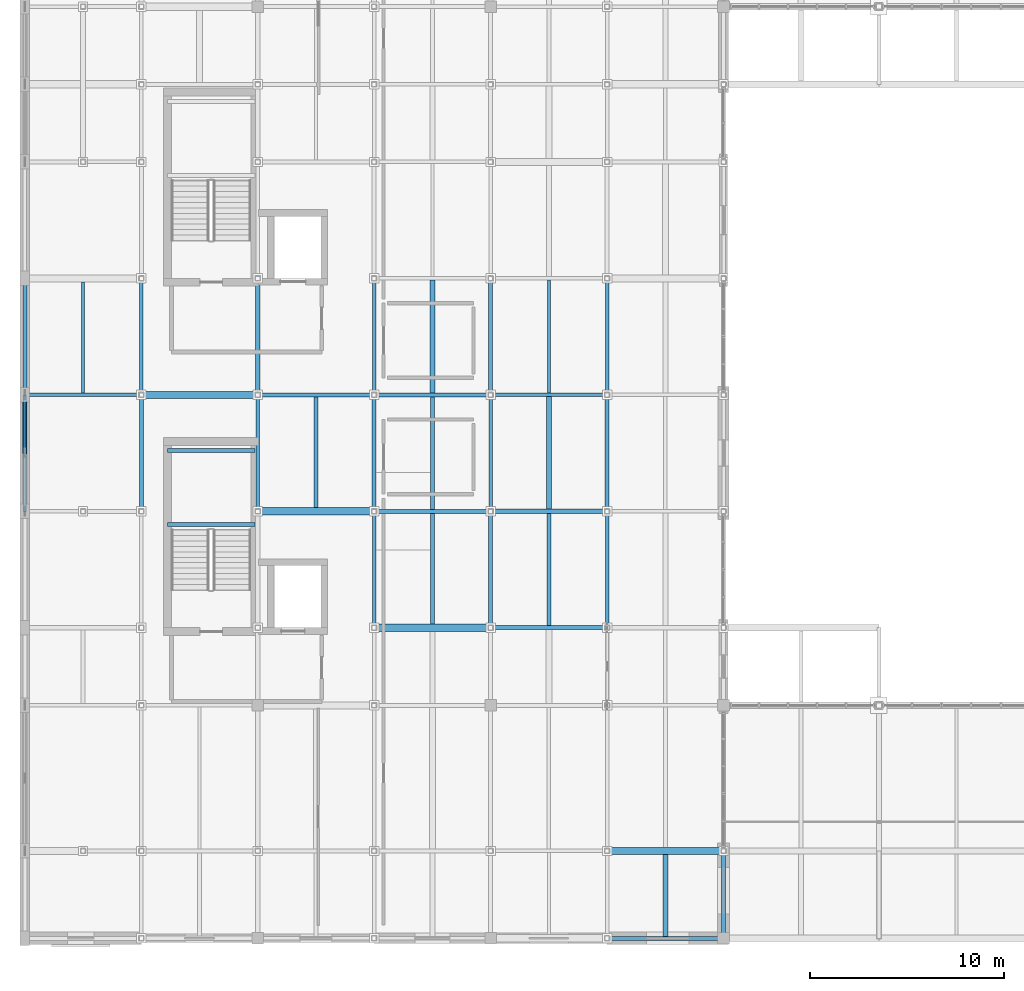
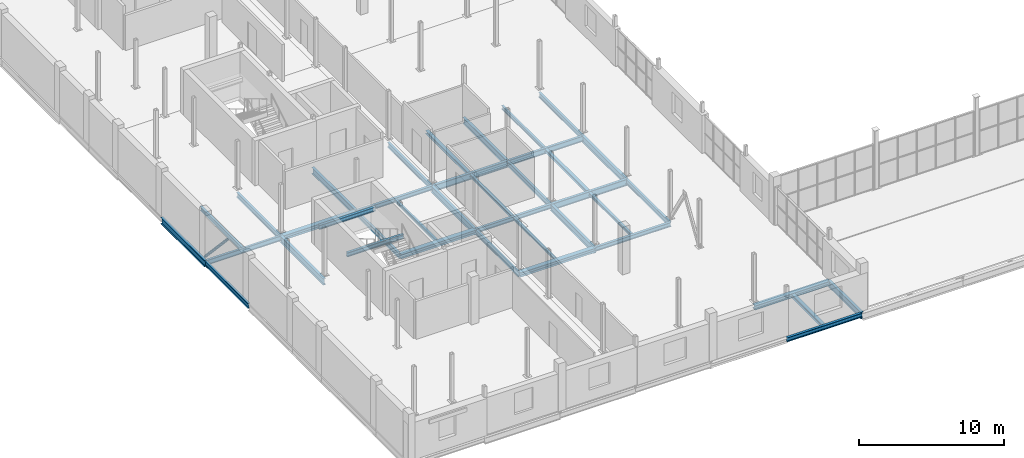
# One storey, part 18 of 96: 39 beams, 1 member.
"""IFC4 building model written with IfcOpenShell, lengths in metres."""

from ifc_helpers import new_model, si_unit, direction, frame, origin, origin_2d, place, context, subcontext, project, spatial, hollow_circle, i_section, extrude, material, material_profile, profile_set, type_object, element, save


model = new_model("IFC4")

# Units and contexts
model_context = context("Model", 3, precision=1e-05, world=origin(), true_north=direction((0.0, 1.0)))
body_context = subcontext(model_context, "Body", "Model", "MODEL_VIEW")
ifc_project = project(units=[si_unit("LENGTHUNIT", "METRE"), si_unit("AREAUNIT", "SQUARE_METRE"), si_unit("VOLUMEUNIT", "CUBIC_METRE"), si_unit("PLANEANGLEUNIT", "RADIAN"), si_unit("MASSUNIT", "GRAM", prefix="KILO")], contexts=[model_context])

# Site, building, storey
site_placement = place(None, origin())
site = spatial("IfcSite", under=ifc_project, at=site_placement, CompositionType="ELEMENT")
building_placement = place(site_placement, origin())
building = spatial("IfcBuilding", under=site, at=building_placement, Name="Verrall Gate Interchange", CompositionType="ELEMENT")
storey_placement = place(building_placement, frame((0.0, 0.0, 11.39990234375)))
storey = spatial("IfcBuildingStorey", under=building, at=storey_placement, Name="L03", CompositionType="ELEMENT", Elevation=11.39990234375)

# Beams
ifc_material_1 = material(Name="Structural Steel CSA G40.21 350W", Category="steel")
ifc_material_profile_1 = material_profile(ifc_material_1, i_section(OverallWidth=0.2109375, OverallDepth=0.5390625, WebThickness=0.01171875, FlangeThickness=0.018798828125, FilletRadius=0.013916015625, at=origin_2d()), Name="W530x109")
ifc_profile_set_1 = profile_set([ifc_material_profile_1], Name="Structural Steel CSA G40.21 350W")
beam_type_1 = type_object("IfcBeamType", Name="B-10 Structural Beam W530x109", PredefinedType="BEAM", material=ifc_profile_set_1)
for number, where, z_axis, x_axis, name in (
    (1, (24.0, 22.0, -0.599365234375), (1.0, 0.0, 0.0), (0.0, 1.0, 0.0), "L03 Girder BM-L03-2048 (B-10)"),
    (2, (18.0, 28.0, -0.599365234375), (1.0, 0.0, 0.0), (0.0, 1.0, 0.0), "L03 Girder BM-L03-2058 (B-10)"),
    (3, (0.0, 28.0, -0.599365234375), (0.0, 1.0, 0.0), (-1.0, 0.0, 0.0), "L03 Girder BM-L03-2178 (B-10)"),
    (4, (6.0, 22.0, -0.599365234375), (0.0, 1.0, 0.0), (-1.0, 0.0, 0.0), "L03 Girder BM-L03-2192 (B-10)"),
    (5, (12.0, 28.0, -0.599365234375), (0.0, 1.0, 0.0), (-1.0, 0.0, 0.0), "L03 Girder BM-L03-2207 (B-10)"),
    (6, (18.0, 22.0, -0.599365234375), (0.0, 1.0, 0.0), (-1.0, 0.0, 0.0), "L03 Girder BM-L03-2220 (B-10)"),
    (7, (24.0, 16.0, -0.599365234375), (0.0, 1.0, 0.0), (-1.0, 0.0, 0.0), "L03 Girder BM-L03-2233 (B-10)"),
    (8, (24.0, 28.0, -0.599365234375), (0.0, 1.0, 0.0), (-1.0, 0.0, 0.0), "L03 Girder BM-L03-2235 (B-10)"),
    (9, (30.0, 22.0, -0.599365234375), (0.0, 1.0, 0.0), (-1.0, 0.0, 0.0), "L03 Girder BM-L03-2248 (B-10)"),
):
    element("IfcBeam", number, at=place(storey_placement, frame(where, z_axis=z_axis, x_axis=x_axis)), inside=storey, type_object=beam_type_1, Name=name, PredefinedType="BEAM", context=body_context, shape_type="SweptSolid", body=[
        extrude(i_section(OverallWidth=0.2109375, OverallDepth=0.5390625, WebThickness=0.01171875, FlangeThickness=0.018798828125, FilletRadius=0.013916015625, at=origin_2d()), origin(), (0.0, 0.0, 1.0), 6.0),
    ])
beam_1_placement = place(storey_placement, frame((36.0, 0.0, -0.599365234375), z_axis=(0.0, 1.0, 0.0), x_axis=(-1.0, 0.0, 0.0)))
element("IfcBeam", 10, at=beam_1_placement, inside=storey, type_object=beam_type_1, Name="L03 Girder BM-L03-2258 (B-10)", PredefinedType="BEAM", context=body_context, shape_type="SweptSolid", body=[
    extrude(i_section(OverallWidth=0.2109375, OverallDepth=0.5390625, WebThickness=0.01171875, FlangeThickness=0.018798828125, FilletRadius=0.013916015625, at=origin_2d()), origin(), (0.0, 0.0, 1.0), 4.5),
])
ifc_material_2 = material(Name="Structural Steel CSA G40.21 350W", Category="steel")
ifc_material_profile_2 = material_profile(ifc_material_2, i_section(OverallWidth=0.19189453125, OverallDepth=0.462890625, WebThickness=0.010498046875, FlangeThickness=0.017578125, FilletRadius=0.012939453125, at=origin_2d()), Name="W460x89")
ifc_profile_set_2 = profile_set([ifc_material_profile_2], Name="Structural Steel CSA G40.21 350W")
beam_type_2 = type_object("IfcBeamType", Name="B-11 Structural Beam W460x89", PredefinedType="BEAM", material=ifc_profile_set_2)
beam_2_placement = place(storey_placement, frame((24.0, 28.0, -0.5615234375), z_axis=(1.0, 0.0, 0.0), x_axis=(0.0, 1.0, 0.0)))
element("IfcBeam", 11, at=beam_2_placement, inside=storey, type_object=beam_type_2, Name="L03 Girder BM-L03-2059 (B-11)", PredefinedType="BEAM", context=body_context, shape_type="SweptSolid", body=[
    extrude(i_section(OverallWidth=0.19189453125, OverallDepth=0.462890625, WebThickness=0.010498046875, FlangeThickness=0.017578125, FilletRadius=0.012939453125, at=origin_2d()), origin(), (0.0, 0.0, 1.0), 6.0),
])
ifc_material_3 = material(Name="Structural Steel CSA G40.21 350W", Category="steel")
ifc_material_profile_3 = material_profile(ifc_material_3, i_section(OverallWidth=0.178955078125, OverallDepth=0.409912109375, WebThickness=0.0087890625, FlangeThickness=0.014404296875, FilletRadius=0.011962890625, at=origin_2d()), Name="W410x67")
ifc_profile_set_3 = profile_set([ifc_material_profile_3], Name="Structural Steel CSA G40.21 350W")
beam_type_3 = type_object("IfcBeamType", Name="B-12 Structural Beam W410x67", PredefinedType="BEAM", material=ifc_profile_set_3)
for number, where, z_axis, x_axis, name in (
    (12, (0.0, 28.0, -0.534912109375), (1.0, 0.0, 0.0), (0.0, 1.0, 0.0), "L03 Girder BM-L03-2055 (B-12)"),
    (13, (0.0, 22.0, -0.534912109375), (0.0, 1.0, 0.0), (-1.0, 0.0, 0.0), "L03 Girder BM-L03-2177 (B-12)"),
    (14, (6.0, 28.0, -0.534912109375), (0.0, 1.0, 0.0), (-1.0, 0.0, 0.0), "L03 Girder BM-L03-2193 (B-12)"),
    (15, (12.0, 22.0, -0.534912109375), (0.0, 1.0, 0.0), (-1.0, 0.0, 0.0), "L03 Girder BM-L03-2206 (B-12)"),
    (16, (18.0, 16.0, -0.534912109375), (0.0, 1.0, 0.0), (-1.0, 0.0, 0.0), "L03 Girder BM-L03-2219 (B-12)"),
    (17, (18.0, 28.0, -0.534912109375), (0.0, 1.0, 0.0), (-1.0, 0.0, 0.0), "L03 Girder BM-L03-2221 (B-12)"),
    (18, (24.0, 22.0, -0.534912109375), (0.0, 1.0, 0.0), (-1.0, 0.0, 0.0), "L03 Girder BM-L03-2234 (B-12)"),
    (19, (30.0, 16.0, -0.534912109375), (0.0, 1.0, 0.0), (-1.0, 0.0, 0.0), "L03 Girder BM-L03-2247 (B-12)"),
    (20, (30.0, 28.0, -0.534912109375), (0.0, 1.0, 0.0), (-1.0, 0.0, 0.0), "L03 Girder BM-L03-2249 (B-12)"),
):
    element("IfcBeam", number, at=place(storey_placement, frame(where, z_axis=z_axis, x_axis=x_axis)), inside=storey, type_object=beam_type_3, Name=name, PredefinedType="BEAM", context=body_context, shape_type="SweptSolid", body=[
        extrude(i_section(OverallWidth=0.178955078125, OverallDepth=0.409912109375, WebThickness=0.0087890625, FlangeThickness=0.014404296875, FilletRadius=0.011962890625, at=origin_2d()), origin(), (0.0, 0.0, 1.0), 6.0),
    ])
ifc_material_4 = material(Name="Structural Steel CSA G40.21 350W", Category="steel")
ifc_material_profile_4 = material_profile(ifc_material_4, i_section(OverallWidth=0.368896484375, OverallDepth=0.35595703125, WebThickness=0.01123046875, FlangeThickness=0.01806640625, FilletRadius=0.014892578125, at=origin_2d()), Name="W360x134")
ifc_profile_set_4 = profile_set([ifc_material_profile_4], Name="Structural Steel CSA G40.21 350W")
beam_type_4 = type_object("IfcBeamType", Name="B-13 Structural Beam W360x134", PredefinedType="BEAM", material=ifc_profile_set_4)
for number, where, z_axis, x_axis, name in (
    (21, (30.0, 4.5, -0.5078125), (1.0, 0.0, 0.0), (0.0, 1.0, 0.0), "L03 Girder BM-L03-1996 (B-13)"),
    (22, (18.0, 16.0, -0.5078125), (1.0, 0.0, 0.0), (0.0, 1.0, 0.0), "L03 Girder BM-L03-2028 (B-13)"),
    (23, (12.0, 22.0, -0.5078125), (1.0, 0.0, 0.0), (0.0, 1.0, 0.0), "L03 Girder BM-L03-2046 (B-13)"),
    (24, (6.0, 28.0, -0.5078125), (1.0, 0.0, 0.0), (0.0, 1.0, 0.0), "L03 Girder BM-L03-2056 (B-13)"),
):
    element("IfcBeam", number, at=place(storey_placement, frame(where, z_axis=z_axis, x_axis=x_axis)), inside=storey, type_object=beam_type_4, Name=name, PredefinedType="BEAM", context=body_context, shape_type="SweptSolid", body=[
        extrude(i_section(OverallWidth=0.368896484375, OverallDepth=0.35595703125, WebThickness=0.01123046875, FlangeThickness=0.01806640625, FilletRadius=0.014892578125, at=origin_2d()), origin(), (0.0, 0.0, 1.0), 6.0),
    ])
ifc_material_5 = material(Name="Structural Steel CSA G40.21 350W", Category="steel")
ifc_material_profile_5 = material_profile(ifc_material_5, i_section(OverallWidth=0.205078125, OverallDepth=0.35400390625, WebThickness=0.009521484375, FlangeThickness=0.016845703125, FilletRadius=0.012939453125, at=origin_2d()), Name="W360x79")
ifc_profile_set_5 = profile_set([ifc_material_profile_5], Name="Structural Steel CSA G40.21 350W")
beam_type_5 = type_object("IfcBeamType", Name="B-14 Structural Beam W360x79", PredefinedType="BEAM", material=ifc_profile_set_5)
for number, where, z_axis, x_axis, name in (
    (25, (30.0, 0.0, -0.5068359375), (1.0, 0.0, 0.0), (0.0, 1.0, 0.0), "L03 Girder BM-L03-1980 (B-14)"),
    (26, (24.0, 16.0, -0.5068359375), (1.0, 0.0, 0.0), (0.0, 1.0, 0.0), "L03 Girder BM-L03-2029 (B-14)"),
    (27, (18.0, 22.0, -0.5068359375), (1.0, 0.0, 0.0), (0.0, 1.0, 0.0), "L03 Girder BM-L03-2047 (B-14)"),
    (28, (12.0, 28.0, -0.5068359375), (1.0, 0.0, 0.0), (0.0, 1.0, 0.0), "L03 Girder BM-L03-2057 (B-14)"),
):
    element("IfcBeam", number, at=place(storey_placement, frame(where, z_axis=z_axis, x_axis=x_axis)), inside=storey, type_object=beam_type_5, Name=name, PredefinedType="BEAM", context=body_context, shape_type="SweptSolid", body=[
        extrude(i_section(OverallWidth=0.205078125, OverallDepth=0.35400390625, WebThickness=0.009521484375, FlangeThickness=0.016845703125, FilletRadius=0.012939453125, at=origin_2d()), origin(), (0.0, 0.0, 1.0), 6.0),
    ])
for number, where, z_axis, x_axis, name in (
    (29, (7.35009765625, 21.31005859375, 1.630126953125), (1.0, 0.0, 0.0), (0.0, 1.0, 0.0), "L03 Core C1 Mid-Landing Beam 1"),
    (30, (7.35009765625, 25.1201171875, 1.630126953125), (1.0, 0.0, 0.0), (0.0, 1.0, 0.0), "L03 Core C1 Mid-Landing Beam 2"),
):
    element("IfcBeam", number, at=place(storey_placement, frame(where, z_axis=z_axis, x_axis=x_axis)), inside=storey, type_object=beam_type_5, Name=name, PredefinedType="BEAM", context=body_context, shape_type="SweptSolid", body=[
        extrude(i_section(OverallWidth=0.205078125, OverallDepth=0.35400390625, WebThickness=0.009521484375, FlangeThickness=0.016845703125, FilletRadius=0.012939453125, at=origin_2d()), origin(), (0.0, 0.0, 1.0), 4.5),
    ])

# Member
ifc_material_6 = material(Name="Structural Steel CSA G40.21 350W", Category="steel")
ifc_material_profile_6 = material_profile(ifc_material_6, hollow_circle(Radius=0.109619140625, WallThickness=0.008056640625, at=origin_2d()), Name="HSS219x8.0")
ifc_profile_set_6 = profile_set([ifc_material_profile_6], Name="Structural Steel CSA G40.21 350W")
member_type = type_object("IfcMemberType", Name="BR-02 Diagonal Brace HSS219x8.0", PredefinedType="BRACE", material=ifc_profile_set_6)
member_placement = place(storey_placement, frame((0.0, 28.0, 0.0), z_axis=(0.0, -0.681645967553, 0.731682154299), x_axis=(1.0, 0.0, 0.0)))
element("IfcMember", 31, at=member_placement, inside=storey, type_object=member_type, Name="Chevron Brace CBF2 L03 Leg B", PredefinedType="BRACE", context=body_context, shape_type="SweptSolid", body=[
    extrude(hollow_circle(Radius=0.109619140625, WallThickness=0.008056640625, at=origin_2d()), origin(), (0.0, 0.0, 1.0), 4.401123046875),
])

# Beams
ifc_material_7 = material(Name="Structural Steel CSA G40.21 350W", Category="steel")
ifc_material_profile_7 = material_profile(ifc_material_7, i_section(OverallWidth=0.172119140625, OverallDepth=0.35791015625, WebThickness=0.0078125, FlangeThickness=0.01318359375, FilletRadius=0.010986328125, at=origin_2d()), Name="W360x57")
ifc_profile_set_7 = profile_set([ifc_material_profile_7], Name="Structural Steel CSA G40.21 350W")
beam_type_6 = type_object("IfcBeamType", Name="J-01 Floor Joist W360x57", PredefinedType="JOIST", material=ifc_profile_set_7)
beam_3_placement = place(storey_placement, frame((3.0, 28.089599609375, -0.5087890625), z_axis=(0.0, 1.0, 0.0), x_axis=(-1.0, 0.0, 0.0)))
element("IfcBeam", 32, at=beam_3_placement, inside=storey, type_object=beam_type_6, Name="L03 Secondary Floor Joist JST-L03-2440", PredefinedType="JOIST", context=body_context, shape_type="SweptSolid", body=[
    extrude(i_section(OverallWidth=0.172119140625, OverallDepth=0.35791015625, WebThickness=0.0078125, FlangeThickness=0.01318359375, FilletRadius=0.010986328125, at=origin_2d()), origin(), (0.0, 0.0, 1.0), 5.725830078125),
])
ifc_material_8 = material(Name="Structural Steel CSA G40.21 350W", Category="steel")
ifc_material_profile_8 = material_profile(ifc_material_8, i_section(OverallWidth=0.25390625, OverallDepth=0.305908203125, WebThickness=0.0087890625, FlangeThickness=0.0146484375, FilletRadius=0.012939453125, at=origin_2d()), Name="W310x79")
ifc_profile_set_8 = profile_set([ifc_material_profile_8], Name="Structural Steel CSA G40.21 350W")
beam_type_7 = type_object("IfcBeamType", Name="J-03 Floor Joist W310x79", PredefinedType="JOIST", material=ifc_profile_set_8)
beam_4_placement = place(storey_placement, frame((33.0, 0.1025390625, -0.48291015625), z_axis=(0.0, 1.0, 0.0), x_axis=(-1.0, 0.0, 0.0)))
element("IfcBeam", 33, at=beam_4_placement, inside=storey, type_object=beam_type_7, Name="L03 Secondary Floor Joist JST-L03-2383", PredefinedType="JOIST", context=body_context, shape_type="SweptSolid", body=[
    extrude(i_section(OverallWidth=0.25390625, OverallDepth=0.305908203125, WebThickness=0.0087890625, FlangeThickness=0.0146484375, FilletRadius=0.012939453125, at=origin_2d()), origin(), (0.0, 0.0, 1.0), 4.212890625),
])
ifc_material_9 = material(Name="Structural Steel CSA G40.21 350W", Category="steel")
ifc_material_profile_9 = material_profile(ifc_material_9, i_section(OverallWidth=0.1650390625, OverallDepth=0.31005859375, WebThickness=0.005859375, FlangeThickness=0.009765625, FilletRadius=0.010009765625, at=origin_2d()), Name="W310x39")
ifc_profile_set_9 = profile_set([ifc_material_profile_9], Name="Structural Steel CSA G40.21 350W")
beam_type_8 = type_object("IfcBeamType", Name="J-04 Floor Joist W310x39", PredefinedType="JOIST", material=ifc_profile_set_9)
beam_5_placement = place(storey_placement, frame((27.0, 28.095947265625, -0.48486328125), z_axis=(0.0, 1.0, 0.0), x_axis=(-1.0, 0.0, 0.0)))
element("IfcBeam", 34, at=beam_5_placement, inside=storey, type_object=beam_type_8, Name="L03 Secondary Floor Joist JST-L03-2442", PredefinedType="JOIST", context=body_context, shape_type="SweptSolid", body=[
    extrude(i_section(OverallWidth=0.1650390625, OverallDepth=0.31005859375, WebThickness=0.005859375, FlangeThickness=0.009765625, FilletRadius=0.010009765625, at=origin_2d()), origin(), (0.0, 0.0, 1.0), 5.814453125),
])
ifc_material_10 = material(Name="Structural Steel CSA G40.21 350W", Category="steel")
ifc_material_profile_10 = material_profile(ifc_material_10, i_section(OverallWidth=0.25390625, OverallDepth=0.2529296875, WebThickness=0.008544921875, FlangeThickness=0.01416015625, FilletRadius=0.011962890625, at=origin_2d()), Name="W250x73")
ifc_profile_set_10 = profile_set([ifc_material_profile_10], Name="Structural Steel CSA G40.21 350W")
beam_type_9 = type_object("IfcBeamType", Name="J-05 Floor Joist W250x73", PredefinedType="JOIST", material=ifc_profile_set_10)
for number, where, z_axis, x_axis, name in (
    (35, (27.0, 22.10546875, -0.456298828125), (0.0, 1.0, 0.0), (-1.0, 0.0, 0.0), "L03 Secondary Floor Joist JST-L03-2433"),
    (36, (21.0, 28.10546875, -0.456298828125), (0.0, 1.0, 0.0), (-1.0, 0.0, 0.0), "L03 Secondary Floor Joist JST-L03-2441"),
):
    element("IfcBeam", number, at=place(storey_placement, frame(where, z_axis=z_axis, x_axis=x_axis)), inside=storey, type_object=beam_type_9, Name=name, PredefinedType="JOIST", context=body_context, shape_type="SweptSolid", body=[
        extrude(i_section(OverallWidth=0.25390625, OverallDepth=0.2529296875, WebThickness=0.008544921875, FlangeThickness=0.01416015625, FilletRadius=0.011962890625, at=origin_2d()), origin(), (0.0, 0.0, 1.0), 5.798583984375),
    ])
ifc_material_11 = material(Name="Structural Steel CSA G40.21 350W", Category="steel")
ifc_material_profile_11 = material_profile(ifc_material_11, i_section(OverallWidth=0.201904296875, OverallDepth=0.2470703125, WebThickness=0.00732421875, FlangeThickness=0.010986328125, FilletRadius=0.010986328125, at=origin_2d()), Name="W250x49")
ifc_profile_set_11 = profile_set([ifc_material_profile_11], Name="Structural Steel CSA G40.21 350W")
beam_type_10 = type_object("IfcBeamType", Name="J-06 Floor Joist W250x49", PredefinedType="JOIST", material=ifc_profile_set_11)
for number, where, z_axis, x_axis, name in (
    (37, (27.0, 16.1025390625, -0.453369140625), (0.0, 1.0, 0.0), (-1.0, 0.0, 0.0), "L03 Secondary Floor Joist JST-L03-2425"),
    (38, (21.0, 22.1025390625, -0.453369140625), (0.0, 1.0, 0.0), (-1.0, 0.0, 0.0), "L03 Secondary Floor Joist JST-L03-2432"),
):
    element("IfcBeam", number, at=place(storey_placement, frame(where, z_axis=z_axis, x_axis=x_axis)), inside=storey, type_object=beam_type_10, Name=name, PredefinedType="JOIST", context=body_context, shape_type="SweptSolid", body=[
        extrude(i_section(OverallWidth=0.201904296875, OverallDepth=0.2470703125, WebThickness=0.00732421875, FlangeThickness=0.010986328125, FilletRadius=0.010986328125, at=origin_2d()), origin(), (0.0, 0.0, 1.0), 5.7919921875),
    ])
ifc_material_12 = material(Name="Structural Steel CSA G40.21 350W", Category="steel")
ifc_material_profile_12 = material_profile(ifc_material_12, i_section(OverallWidth=0.202880859375, OverallDepth=0.202880859375, WebThickness=0.007080078125, FlangeThickness=0.010986328125, FilletRadius=0.010009765625, at=origin_2d()), Name="W200x46")
ifc_profile_set_12 = profile_set([ifc_material_profile_12], Name="Structural Steel CSA G40.21 350W")
beam_type_11 = type_object("IfcBeamType", Name="J-07 Floor Joist W200x46", PredefinedType="JOIST", material=ifc_profile_set_12)
for number, where, z_axis, x_axis, name in (
    (39, (21.0, 16.1845703125, -0.431396484375), (0.0, 1.0, 0.0), (-1.0, 0.0, 0.0), "L03 Secondary Floor Joist JST-L03-2424"),
    (40, (15.0, 22.1845703125, -0.431396484375), (0.0, 1.0, 0.0), (-1.0, 0.0, 0.0), "L03 Secondary Floor Joist JST-L03-2431"),
):
    element("IfcBeam", number, at=place(storey_placement, frame(where, z_axis=z_axis, x_axis=x_axis)), inside=storey, type_object=beam_type_11, Name=name, PredefinedType="JOIST", context=body_context, shape_type="SweptSolid", body=[
        extrude(i_section(OverallWidth=0.202880859375, OverallDepth=0.202880859375, WebThickness=0.007080078125, FlangeThickness=0.010986328125, FilletRadius=0.010009765625, at=origin_2d()), origin(), (0.0, 0.0, 1.0), 5.712890625),
    ])

save(model, "model.ifc")
